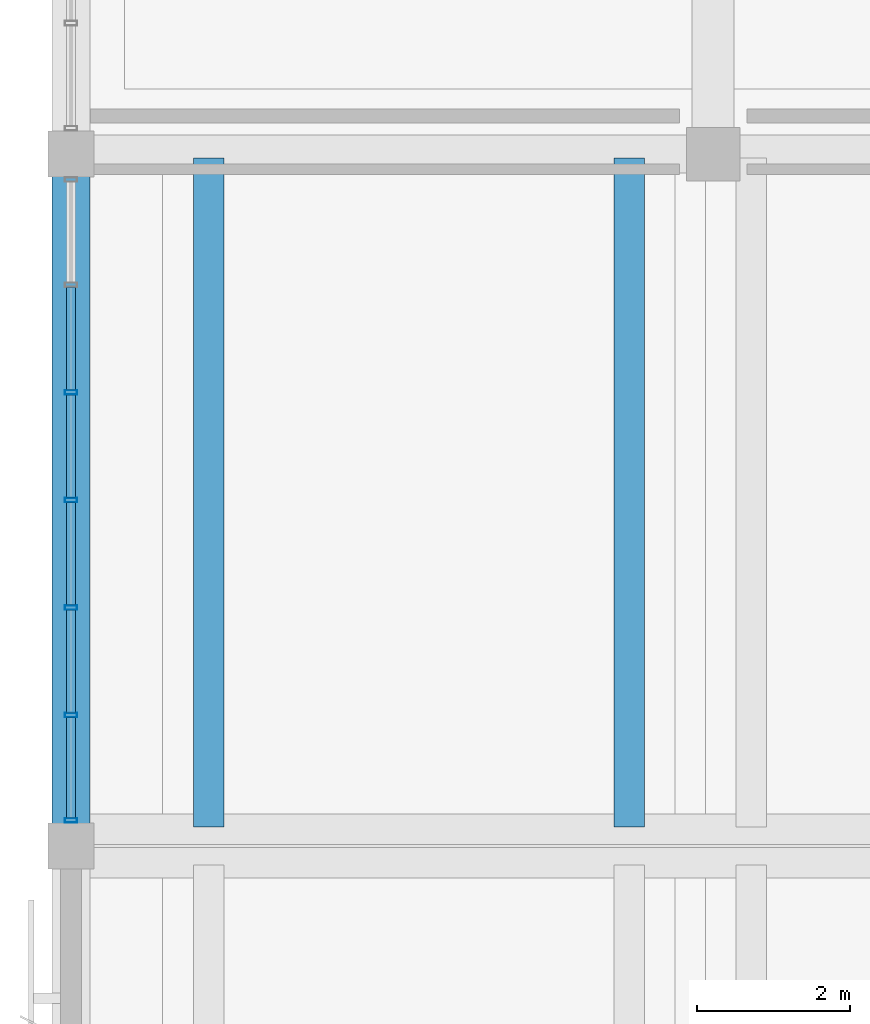
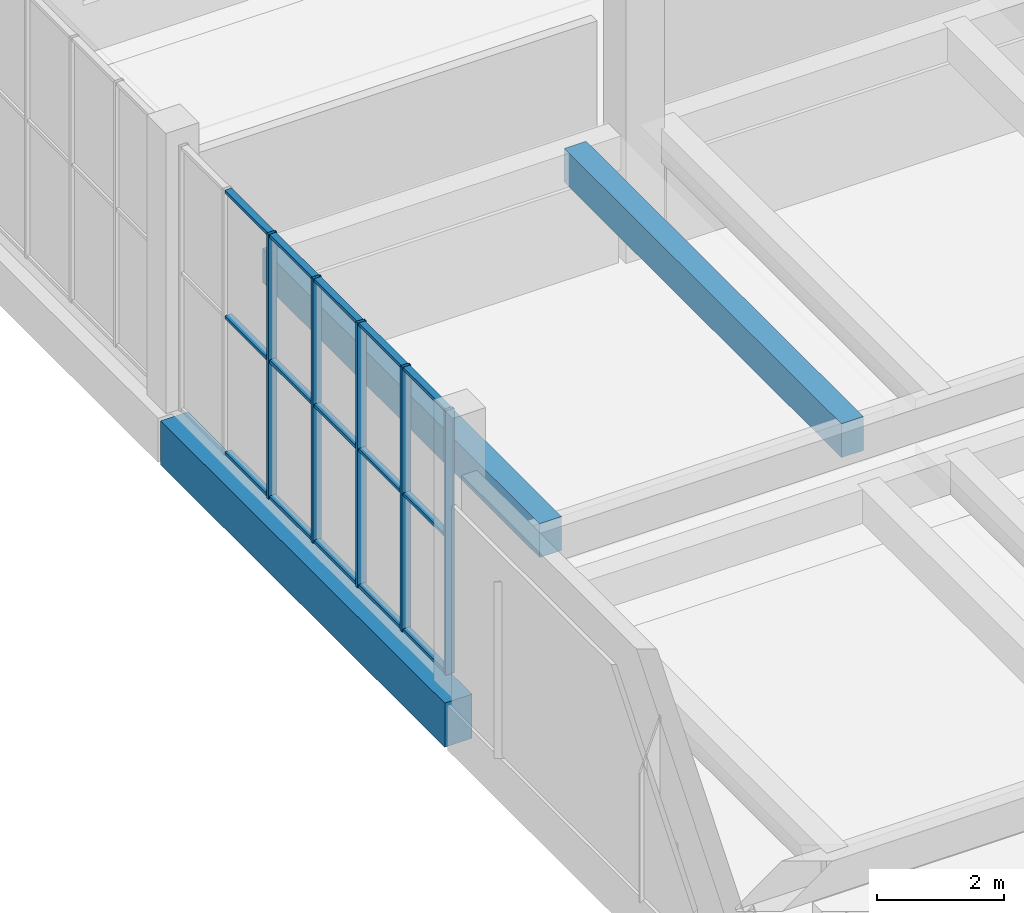
# One storey, part 44 of 132: 20 members, 3 beams, 1 element without a shape of its own.
"""IFC4 building model written with IfcOpenShell, lengths in metres."""

from ifc_helpers import new_model, si_unit, direction, frame, origin, origin_2d, place, context, subcontext, project, spatial, rectangle, hollow_rectangle, extrude, material, material_profile, profile_set, type_object, element, aggregate, save


model = new_model("IFC4")

# Units and contexts
model_context = context("Model", 3, precision=1e-05, world=origin(), true_north=direction((0.0, 1.0)))
body_context = subcontext(model_context, "Body", "Model", "MODEL_VIEW")
ifc_project = project(units=[si_unit("LENGTHUNIT", "METRE"), si_unit("AREAUNIT", "SQUARE_METRE"), si_unit("VOLUMEUNIT", "CUBIC_METRE"), si_unit("PLANEANGLEUNIT", "RADIAN"), si_unit("MASSUNIT", "GRAM", prefix="KILO")], contexts=[model_context])

# Site, building, storey
site_placement = place(None, origin())
site = spatial("IfcSite", under=ifc_project, at=site_placement, CompositionType="ELEMENT")
building_placement = place(site_placement, origin())
building = spatial("IfcBuilding", under=site, at=building_placement, Name="Khurvash Pelagic Aquarium", CompositionType="ELEMENT")
storey_placement = place(building_placement, frame((0.0, 0.0, 5.39990234375)))
storey = spatial("IfcBuildingStorey", under=building, at=storey_placement, Name="L01", CompositionType="ELEMENT", Elevation=5.39990234375)

# Beams
ifc_material_1 = material(Name="Concrete C35/45", Category="concrete")
ifc_material_profile_1 = material_profile(ifc_material_1, rectangle(XDim=0.39990234375, YDim=0.64990234375, at=origin_2d()), Name="RC400X650")
ifc_profile_set_1 = profile_set([ifc_material_profile_1], Name="Concrete C35/45")
beam_type_1 = type_object("IfcBeamType", Name="BM-05", PredefinedType="BEAM", material=ifc_profile_set_1)
for number, where, z_axis, x_axis, name in (
    (1, (1.800048828125, 75.25, 2.045166015625), (0.0, 1.0, 0.0), (-1.0, 0.0, 0.0), "L01 Auditorium Tier Stringer Beam BM-05"),
    (2, (7.300048828125, 75.25, 2.045166015625), (0.0, 1.0, 0.0), (-1.0, 0.0, 0.0), "L01 Auditorium Tier Stringer Beam BM-05"),
):
    element("IfcBeam", number, at=place(storey_placement, frame(where, z_axis=z_axis, x_axis=x_axis)), inside=storey, type_object=beam_type_1, Name=name, PredefinedType="BEAM", context=body_context, shape_type="SweptSolid", body=[
        extrude(rectangle(XDim=0.39990234375, YDim=0.64990234375, at=origin_2d()), origin(), (0.0, 0.0, 1.0), 8.75),
    ])

# Curtain wall, members
ifc_material_2 = material(Name="Anodised aluminium and low-E laminated glass", Category="aluminium")
curtain_wall_type = type_object("IfcCurtainWallType", Name="CW-06", PredefinedType="USERDEFINED", material=ifc_material_2)
curtain_wall_placement = place(storey_placement, origin())
curtain_wall = element("IfcCurtainWall", 3, at=curtain_wall_placement, inside=storey, type_object=curtain_wall_type, Name="L01 Facade Unitised Curtain Wall CW-06 0125", ObjectType="UNITISED CURTAIN WALL", PredefinedType="USERDEFINED")
ifc_material_3 = material(Name="Extruded aluminium AW-6063-T6", Category="aluminium")
ifc_material_profile_2 = material_profile(ifc_material_3, hollow_rectangle(XDim=0.06005859375, YDim=0.159912109375, WallThickness=0.00390625, at=origin_2d()), Name="CWM60X160X4")
ifc_profile_set_2 = profile_set([ifc_material_profile_2], Name="Extruded aluminium AW-6063-T6")
member_type_1 = type_object("IfcMemberType", Name="CM-02", PredefinedType="MULLION", material=ifc_profile_set_2)
member_1_placement = place(storey_placement, frame((0.0, 80.931640625, 0.0), z_axis=(0.0, 0.0, 1.0), x_axis=(0.0, -1.0, 0.0)))
member_1 = element("IfcMember", 4, at=member_1_placement, type_object=member_type_1, Name="CW-06 mullion 3", PredefinedType="MULLION", context=body_context, shape_type="SweptSolid", body=[
    extrude(hollow_rectangle(XDim=0.06005859375, YDim=0.159912109375, WallThickness=0.00390625, at=origin_2d()), origin(), (0.0, 0.0, 1.0), 5.10009765625),
])
member_2_placement = place(storey_placement, frame((0.0, 79.52490234375, 0.0), z_axis=(0.0, 0.0, 1.0), x_axis=(0.0, -1.0, 0.0)))
member_2 = element("IfcMember", 5, at=member_2_placement, type_object=member_type_1, Name="CW-06 mullion 4", PredefinedType="MULLION", context=body_context, shape_type="SweptSolid", body=[
    extrude(hollow_rectangle(XDim=0.06005859375, YDim=0.159912109375, WallThickness=0.00390625, at=origin_2d()), origin(), (0.0, 0.0, 1.0), 5.10009765625),
])
member_3_placement = place(storey_placement, frame((0.0, 78.118408203125, 0.0), z_axis=(0.0, 0.0, 1.0), x_axis=(0.0, -1.0, 0.0)))
member_3 = element("IfcMember", 6, at=member_3_placement, type_object=member_type_1, Name="CW-06 mullion 5", PredefinedType="MULLION", context=body_context, shape_type="SweptSolid", body=[
    extrude(hollow_rectangle(XDim=0.06005859375, YDim=0.159912109375, WallThickness=0.00390625, at=origin_2d()), origin(), (0.0, 0.0, 1.0), 5.10009765625),
])
member_4_placement = place(storey_placement, frame((0.0, 76.711669921875, 0.0), z_axis=(0.0, 0.0, 1.0), x_axis=(0.0, -1.0, 0.0)))
member_4 = element("IfcMember", 7, at=member_4_placement, type_object=member_type_1, Name="CW-06 mullion 6", PredefinedType="MULLION", context=body_context, shape_type="SweptSolid", body=[
    extrude(hollow_rectangle(XDim=0.06005859375, YDim=0.159912109375, WallThickness=0.00390625, at=origin_2d()), origin(), (0.0, 0.0, 1.0), 5.10009765625),
])
member_5_placement = place(storey_placement, frame((0.0, 75.3349609375, 0.0), z_axis=(0.0, 0.0, 1.0), x_axis=(0.0, -1.0, 0.0)))
member_5 = element("IfcMember", 8, at=member_5_placement, type_object=member_type_1, Name="CW-06 mullion 7", PredefinedType="MULLION", context=body_context, shape_type="SweptSolid", body=[
    extrude(hollow_rectangle(XDim=0.06005859375, YDim=0.159912109375, WallThickness=0.00390625, at=origin_2d()), origin(), (0.0, 0.0, 1.0), 5.10009765625),
])
ifc_material_profile_3 = material_profile(ifc_material_3, hollow_rectangle(XDim=0.1201171875, YDim=0.06005859375, WallThickness=0.00390625, at=origin_2d()), Name="CWT120X60X4")
ifc_profile_set_3 = profile_set([ifc_material_profile_3], Name="Extruded aluminium AW-6063-T6")
member_type_2 = type_object("IfcMemberType", Name="CT-02", PredefinedType="USERDEFINED", material=ifc_profile_set_3)
member_6_placement = place(storey_placement, frame((0.0, 82.308349609375, 0.030029296875), z_axis=(0.0, -1.0, 0.0), x_axis=(1.0, 0.0, 0.0)))
member_6 = element("IfcMember", 9, at=member_6_placement, type_object=member_type_2, Name="CW-06 transom 2.1", ObjectType="TRANSOM", PredefinedType="USERDEFINED", context=body_context, shape_type="SweptSolid", body=[
    extrude(hollow_rectangle(XDim=0.1201171875, YDim=0.06005859375, WallThickness=0.00390625, at=origin_2d()), origin(), (0.0, 0.0, 1.0), 1.3466796875),
])
member_7_placement = place(storey_placement, frame((0.0, 82.308349609375, 2.652099609375), z_axis=(0.0, -1.0, 0.0), x_axis=(1.0, 0.0, 0.0)))
member_7 = element("IfcMember", 10, at=member_7_placement, type_object=member_type_2, Name="CW-06 transom 2.2", ObjectType="TRANSOM", PredefinedType="USERDEFINED", context=body_context, shape_type="SweptSolid", body=[
    extrude(hollow_rectangle(XDim=0.1201171875, YDim=0.06005859375, WallThickness=0.00390625, at=origin_2d()), origin(), (0.0, 0.0, 1.0), 1.3466796875),
])
member_8_placement = place(storey_placement, frame((0.0, 82.308349609375, 5.070068359375), z_axis=(0.0, -1.0, 0.0), x_axis=(1.0, 0.0, 0.0)))
member_8 = element("IfcMember", 11, at=member_8_placement, type_object=member_type_2, Name="CW-06 transom 2.3", ObjectType="TRANSOM", PredefinedType="USERDEFINED", context=body_context, shape_type="SweptSolid", body=[
    extrude(hollow_rectangle(XDim=0.1201171875, YDim=0.06005859375, WallThickness=0.00390625, at=origin_2d()), origin(), (0.0, 0.0, 1.0), 1.3466796875),
])
member_9_placement = place(storey_placement, frame((0.0, 80.901611328125, 0.030029296875), z_axis=(0.0, -1.0, 0.0), x_axis=(1.0, 0.0, 0.0)))
member_9 = element("IfcMember", 12, at=member_9_placement, type_object=member_type_2, Name="CW-06 transom 3.1", ObjectType="TRANSOM", PredefinedType="USERDEFINED", context=body_context, shape_type="SweptSolid", body=[
    extrude(hollow_rectangle(XDim=0.1201171875, YDim=0.06005859375, WallThickness=0.00390625, at=origin_2d()), origin(), (0.0, 0.0, 1.0), 1.3466796875),
])
member_10_placement = place(storey_placement, frame((0.0, 80.901611328125, 2.652099609375), z_axis=(0.0, -1.0, 0.0), x_axis=(1.0, 0.0, 0.0)))
member_10 = element("IfcMember", 13, at=member_10_placement, type_object=member_type_2, Name="CW-06 transom 3.2", ObjectType="TRANSOM", PredefinedType="USERDEFINED", context=body_context, shape_type="SweptSolid", body=[
    extrude(hollow_rectangle(XDim=0.1201171875, YDim=0.06005859375, WallThickness=0.00390625, at=origin_2d()), origin(), (0.0, 0.0, 1.0), 1.3466796875),
])
member_11_placement = place(storey_placement, frame((0.0, 80.901611328125, 5.070068359375), z_axis=(0.0, -1.0, 0.0), x_axis=(1.0, 0.0, 0.0)))
member_11 = element("IfcMember", 14, at=member_11_placement, type_object=member_type_2, Name="CW-06 transom 3.3", ObjectType="TRANSOM", PredefinedType="USERDEFINED", context=body_context, shape_type="SweptSolid", body=[
    extrude(hollow_rectangle(XDim=0.1201171875, YDim=0.06005859375, WallThickness=0.00390625, at=origin_2d()), origin(), (0.0, 0.0, 1.0), 1.3466796875),
])
member_12_placement = place(storey_placement, frame((0.0, 79.4951171875, 0.030029296875), z_axis=(0.0, -1.0, 0.0), x_axis=(1.0, 0.0, 0.0)))
member_12 = element("IfcMember", 15, at=member_12_placement, type_object=member_type_2, Name="CW-06 transom 4.1", ObjectType="TRANSOM", PredefinedType="USERDEFINED", context=body_context, shape_type="SweptSolid", body=[
    extrude(hollow_rectangle(XDim=0.1201171875, YDim=0.06005859375, WallThickness=0.00390625, at=origin_2d()), origin(), (0.0, 0.0, 1.0), 1.3466796875),
])
member_13_placement = place(storey_placement, frame((0.0, 79.4951171875, 2.652099609375), z_axis=(0.0, -1.0, 0.0), x_axis=(1.0, 0.0, 0.0)))
member_13 = element("IfcMember", 16, at=member_13_placement, type_object=member_type_2, Name="CW-06 transom 4.2", ObjectType="TRANSOM", PredefinedType="USERDEFINED", context=body_context, shape_type="SweptSolid", body=[
    extrude(hollow_rectangle(XDim=0.1201171875, YDim=0.06005859375, WallThickness=0.00390625, at=origin_2d()), origin(), (0.0, 0.0, 1.0), 1.3466796875),
])
member_14_placement = place(storey_placement, frame((0.0, 79.4951171875, 5.070068359375), z_axis=(0.0, -1.0, 0.0), x_axis=(1.0, 0.0, 0.0)))
member_14 = element("IfcMember", 17, at=member_14_placement, type_object=member_type_2, Name="CW-06 transom 4.3", ObjectType="TRANSOM", PredefinedType="USERDEFINED", context=body_context, shape_type="SweptSolid", body=[
    extrude(hollow_rectangle(XDim=0.1201171875, YDim=0.06005859375, WallThickness=0.00390625, at=origin_2d()), origin(), (0.0, 0.0, 1.0), 1.3466796875),
])
member_15_placement = place(storey_placement, frame((0.0, 78.08837890625, 0.030029296875), z_axis=(0.0, -1.0, 0.0), x_axis=(1.0, 0.0, 0.0)))
member_15 = element("IfcMember", 18, at=member_15_placement, type_object=member_type_2, Name="CW-06 transom 5.1", ObjectType="TRANSOM", PredefinedType="USERDEFINED", context=body_context, shape_type="SweptSolid", body=[
    extrude(hollow_rectangle(XDim=0.1201171875, YDim=0.06005859375, WallThickness=0.00390625, at=origin_2d()), origin(), (0.0, 0.0, 1.0), 1.3466796875),
])
member_16_placement = place(storey_placement, frame((0.0, 78.08837890625, 2.652099609375), z_axis=(0.0, -1.0, 0.0), x_axis=(1.0, 0.0, 0.0)))
member_16 = element("IfcMember", 19, at=member_16_placement, type_object=member_type_2, Name="CW-06 transom 5.2", ObjectType="TRANSOM", PredefinedType="USERDEFINED", context=body_context, shape_type="SweptSolid", body=[
    extrude(hollow_rectangle(XDim=0.1201171875, YDim=0.06005859375, WallThickness=0.00390625, at=origin_2d()), origin(), (0.0, 0.0, 1.0), 1.3466796875),
])
member_17_placement = place(storey_placement, frame((0.0, 78.08837890625, 5.070068359375), z_axis=(0.0, -1.0, 0.0), x_axis=(1.0, 0.0, 0.0)))
member_17 = element("IfcMember", 20, at=member_17_placement, type_object=member_type_2, Name="CW-06 transom 5.3", ObjectType="TRANSOM", PredefinedType="USERDEFINED", context=body_context, shape_type="SweptSolid", body=[
    extrude(hollow_rectangle(XDim=0.1201171875, YDim=0.06005859375, WallThickness=0.00390625, at=origin_2d()), origin(), (0.0, 0.0, 1.0), 1.3466796875),
])
member_18_placement = place(storey_placement, frame((0.0, 76.681640625, 0.030029296875), z_axis=(0.0, -1.0, 0.0), x_axis=(1.0, 0.0, 0.0)))
member_18 = element("IfcMember", 21, at=member_18_placement, type_object=member_type_2, Name="CW-06 transom 6.1", ObjectType="TRANSOM", PredefinedType="USERDEFINED", context=body_context, shape_type="SweptSolid", body=[
    extrude(hollow_rectangle(XDim=0.1201171875, YDim=0.06005859375, WallThickness=0.00390625, at=origin_2d()), origin(), (0.0, 0.0, 1.0), 1.316650390625),
])
member_19_placement = place(storey_placement, frame((0.0, 76.681640625, 2.652099609375), z_axis=(0.0, -1.0, 0.0), x_axis=(1.0, 0.0, 0.0)))
member_19 = element("IfcMember", 22, at=member_19_placement, type_object=member_type_2, Name="CW-06 transom 6.2", ObjectType="TRANSOM", PredefinedType="USERDEFINED", context=body_context, shape_type="SweptSolid", body=[
    extrude(hollow_rectangle(XDim=0.1201171875, YDim=0.06005859375, WallThickness=0.00390625, at=origin_2d()), origin(), (0.0, 0.0, 1.0), 1.316650390625),
])
member_20_placement = place(storey_placement, frame((0.0, 76.681640625, 5.070068359375), z_axis=(0.0, -1.0, 0.0), x_axis=(1.0, 0.0, 0.0)))
member_20 = element("IfcMember", 23, at=member_20_placement, type_object=member_type_2, Name="CW-06 transom 6.3", ObjectType="TRANSOM", PredefinedType="USERDEFINED", context=body_context, shape_type="SweptSolid", body=[
    extrude(hollow_rectangle(XDim=0.1201171875, YDim=0.06005859375, WallThickness=0.00390625, at=origin_2d()), origin(), (0.0, 0.0, 1.0), 1.316650390625),
])
aggregate(curtain_wall, [member_1, member_2, member_3, member_4, member_5, member_6, member_7, member_8, member_9, member_10, member_11, member_12, member_13, member_14, member_15, member_16, member_17, member_18, member_19, member_20])

# Beam
ifc_material_4 = material(Name="Concrete C40/50", Category="concrete")
ifc_material_profile_4 = material_profile(ifc_material_4, rectangle(XDim=0.5, YDim=0.85009765625, at=origin_2d()), Name="RC500X850")
ifc_profile_set_4 = profile_set([ifc_material_profile_4], Name="Concrete C40/50")
beam_type_2 = type_object("IfcBeamType", Name="SEB-03", PredefinedType="SPANDREL", material=ifc_profile_set_4)
beam_placement = place(storey_placement, frame((0.0, 75.0400390625, -0.73486328125), z_axis=(0.0, 1.0, 0.0), x_axis=(-1.0, 0.0, 0.0)))
element("IfcBeam", 24, at=beam_placement, inside=storey, type_object=beam_type_2, Name="L01 Primary Girder SEB-03 00349", PredefinedType="SPANDREL", context=body_context, shape_type="SweptSolid", body=[
    extrude(rectangle(XDim=0.5, YDim=0.85009765625, at=origin_2d()), origin(), (0.0, 0.0, 1.0), 8.969970703125),
])

save(model, "model.ifc")
